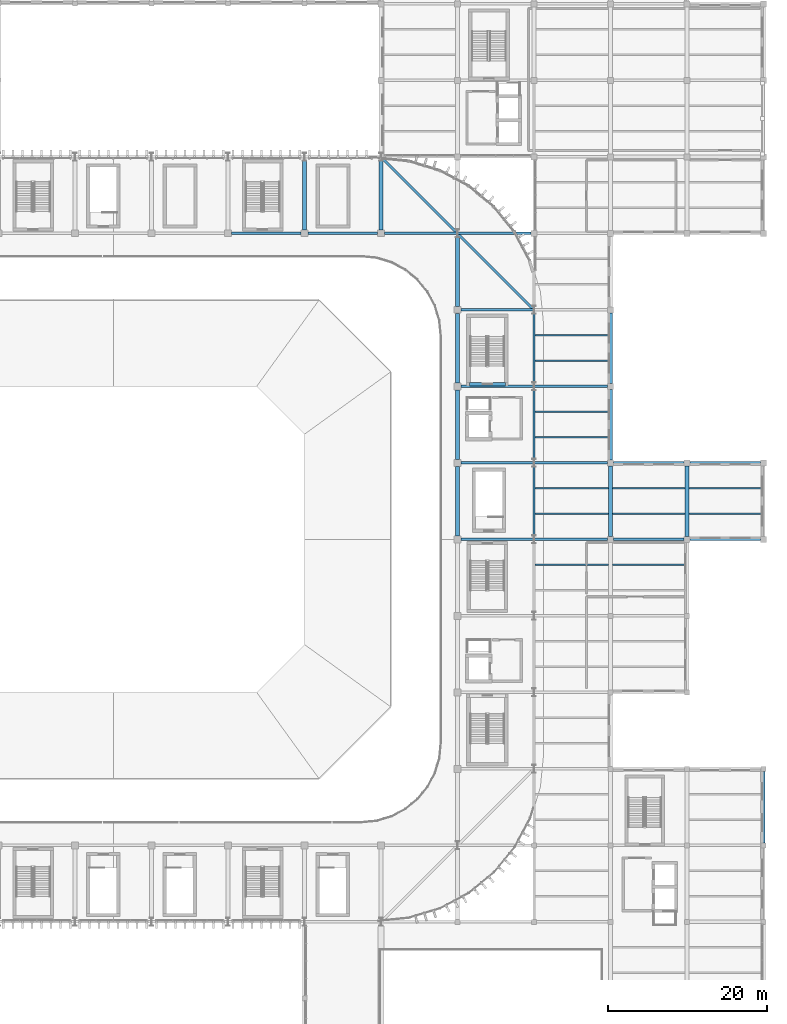
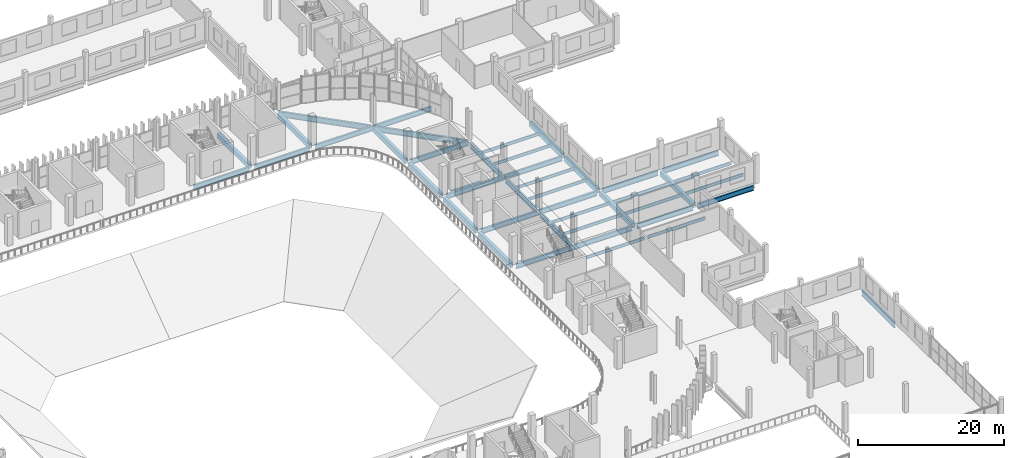
# One storey, part 43 of 99: 44 beams.
"""IFC4 building model written with IfcOpenShell, lengths in metres."""

from ifc_helpers import new_model, si_unit, direction, frame, origin, origin_2d, place, context, subcontext, project, spatial, rectangle, i_section, extrude, material, material_profile, profile_set, type_object, element, save


model = new_model("IFC4")

# Units and contexts
model_context = context("Model", 3, precision=1e-05, world=origin(), true_north=direction((0.0, 1.0)))
body_context = subcontext(model_context, "Body", "Model", "MODEL_VIEW")
ifc_project = project(units=[si_unit("LENGTHUNIT", "METRE"), si_unit("AREAUNIT", "SQUARE_METRE"), si_unit("VOLUMEUNIT", "CUBIC_METRE"), si_unit("PLANEANGLEUNIT", "RADIAN"), si_unit("MASSUNIT", "GRAM", prefix="KILO")], contexts=[model_context])

# Site, building, storey
site_placement = place(None, origin())
site = spatial("IfcSite", under=ifc_project, at=site_placement, CompositionType="ELEMENT")
building_placement = place(site_placement, origin())
building = spatial("IfcBuilding", under=site, at=building_placement, Name="Caelomonte Colonnade Arena", CompositionType="ELEMENT")
storey_placement = place(building_placement, frame((0.0, 0.0, 4.800048828125)))
storey = spatial("IfcBuildingStorey", under=building, at=storey_placement, Name="L01", CompositionType="ELEMENT", Elevation=4.800048828125)

# Beams
ifc_material_1 = material(Name="Wide-flange steel ASTM A992 Grade 50", Category="steel")
ifc_material_profile_1 = material_profile(ifc_material_1, i_section(OverallWidth=0.307861328125, OverallDepth=0.927001953125, WebThickness=0.019287109375, FlangeThickness=0.031982421875, FilletRadius=0.020263671875, at=origin_2d()), Name="W36X194")
ifc_profile_set_1 = profile_set([ifc_material_profile_1], Name="Wide-flange steel ASTM A992 Grade 50")
beam_type_1 = type_object("IfcBeamType", Name="STR-BM-EAVES2", PredefinedType="SPANDREL", material=ifc_profile_set_1)
beam_1_placement = place(storey_placement, frame((163.199951171875, 67.712646484375, -0.763427734375), z_axis=(0.0, 1.0, 0.0), x_axis=(-1.0, 0.0, 0.0)))
element("IfcBeam", 1, at=beam_1_placement, inside=storey, type_object=beam_type_1, Name="L01 girder BMY-L01-1632-0672", PredefinedType="SPANDREL", context=body_context, shape_type="SweptSolid", body=[
    extrude(i_section(OverallWidth=0.307861328125, OverallDepth=0.927001953125, WebThickness=0.019287109375, FlangeThickness=0.031982421875, FilletRadius=0.020263671875, at=origin_2d()), origin(), (0.0, 0.0, 1.0), 8.57470703125),
])
beam_2_placement = place(storey_placement, frame((163.199951171875, 77.312744140625, -0.763427734375), z_axis=(0.0, 1.0, 0.0), x_axis=(-1.0, 0.0, 0.0)))
element("IfcBeam", 2, at=beam_2_placement, inside=storey, type_object=beam_type_1, Name="L01 girder BMY-L01-1632-0768", PredefinedType="SPANDREL", context=body_context, shape_type="SweptSolid", body=[
    extrude(i_section(OverallWidth=0.307861328125, OverallDepth=0.927001953125, WebThickness=0.019287109375, FlangeThickness=0.031982421875, FilletRadius=0.020263671875, at=origin_2d()), origin(), (0.0, 0.0, 1.0), 8.574462890625),
])
beam_3_placement = place(storey_placement, frame((163.199951171875, 86.91259765625, -0.763427734375), z_axis=(0.0, 1.0, 0.0), x_axis=(-1.0, 0.0, 0.0)))
element("IfcBeam", 3, at=beam_3_placement, inside=storey, type_object=beam_type_1, Name="L01 girder BMY-L01-1632-0864", PredefinedType="SPANDREL", context=body_context, shape_type="SweptSolid", body=[
    extrude(i_section(OverallWidth=0.307861328125, OverallDepth=0.927001953125, WebThickness=0.019287109375, FlangeThickness=0.031982421875, FilletRadius=0.020263671875, at=origin_2d()), origin(), (0.0, 0.0, 1.0), 8.57470703125),
])
beam_4_placement = place(storey_placement, frame((192.0, 29.116943359375, -0.763427734375), z_axis=(0.0, 1.0, 0.0), x_axis=(-1.0, 0.0, 0.0)))
element("IfcBeam", 4, at=beam_4_placement, inside=storey, type_object=beam_type_1, Name="L01 girder BMY-L01-1920-0288", PredefinedType="SPANDREL", context=body_context, shape_type="SweptSolid", body=[
    extrude(i_section(OverallWidth=0.307861328125, OverallDepth=0.927001953125, WebThickness=0.019287109375, FlangeThickness=0.031982421875, FilletRadius=0.020263671875, at=origin_2d()), origin(), (0.0, 0.0, 1.0), 8.966064453125),
])
for number, where, z_axis, x_axis, name in (
    (5, (163.0546875, 96.145263671875, -0.763427734375), (-0.707106781187, 0.707106781187, 0.0), (-0.707106781187, -0.707106781187, 0.0), "L01 drum corner ring girder 5"),
    (6, (153.45458984375, 105.745361328125, -0.763427734375), (-0.707106781187, 0.707106781187, 0.0), (-0.707106781187, -0.707106781187, 0.0), "L01 drum corner ring girder 6"),
):
    element("IfcBeam", number, at=place(storey_placement, frame(where, z_axis=z_axis, x_axis=x_axis)), inside=storey, type_object=beam_type_1, Name=name, PredefinedType="SPANDREL", context=body_context, shape_type="SweptSolid", body=[
        extrude(i_section(OverallWidth=0.307861328125, OverallDepth=0.927001953125, WebThickness=0.019287109375, FlangeThickness=0.031982421875, FilletRadius=0.020263671875, at=origin_2d()), origin(), (0.0, 0.0, 1.0), 13.165283203125),
    ])
ifc_material_profile_2 = material_profile(ifc_material_1, i_section(OverallWidth=0.2919921875, OverallDepth=0.835693359375, WebThickness=0.013916015625, FlangeThickness=0.018798828125, FilletRadius=0.017822265625, at=origin_2d()), Name="W33X118")
ifc_profile_set_2 = profile_set([ifc_material_profile_2], Name="Wide-flange steel ASTM A992 Grade 50")
beam_type_2 = type_object("IfcBeamType", Name="STR-BM-GIRD33B", PredefinedType="BEAM", material=ifc_profile_set_2)
beam_5_placement = place(storey_placement, frame((154.0419921875, 67.199951171875, -0.7177734375), z_axis=(1.0, 0.0, 0.0), x_axis=(0.0, 1.0, 0.0)))
element("IfcBeam", 7, at=beam_5_placement, inside=storey, type_object=beam_type_2, Name="L01 girder BMX-L01-1536-0672", PredefinedType="BEAM", context=body_context, shape_type="SweptSolid", body=[
    extrude(i_section(OverallWidth=0.2919921875, OverallDepth=0.835693359375, WebThickness=0.013916015625, FlangeThickness=0.018798828125, FilletRadius=0.017822265625, at=origin_2d()), origin(), (0.0, 0.0, 1.0), 9.142578125),
])
beam_6_placement = place(storey_placement, frame((163.215576171875, 67.199951171875, -0.7177734375), z_axis=(1.0, 0.0, 0.0), x_axis=(0.0, 1.0, 0.0)))
element("IfcBeam", 8, at=beam_6_placement, inside=storey, type_object=beam_type_2, Name="L01 girder BMX-L01-1632-0672", PredefinedType="BEAM", context=body_context, shape_type="SweptSolid", body=[
    extrude(i_section(OverallWidth=0.2919921875, OverallDepth=0.835693359375, WebThickness=0.013916015625, FlangeThickness=0.018798828125, FilletRadius=0.017822265625, at=origin_2d()), origin(), (0.0, 0.0, 1.0), 9.217529296875),
])
for number, where, z_axis, x_axis, name in (
    (9, (173.1669921875, 67.199951171875, -0.7177734375), (1.0, 0.0, 0.0), (0.0, 1.0, 0.0), "L01 girder BMX-L01-1728-0672"),
    (10, (182.76708984375, 67.199951171875, -0.7177734375), (1.0, 0.0, 0.0), (0.0, 1.0, 0.0), "L01 girder BMX-L01-1824-0672"),
):
    element("IfcBeam", number, at=place(storey_placement, frame(where, z_axis=z_axis, x_axis=x_axis)), inside=storey, type_object=beam_type_2, Name=name, PredefinedType="BEAM", context=body_context, shape_type="SweptSolid", body=[
        extrude(i_section(OverallWidth=0.2919921875, OverallDepth=0.835693359375, WebThickness=0.013916015625, FlangeThickness=0.018798828125, FilletRadius=0.017822265625, at=origin_2d()), origin(), (0.0, 0.0, 1.0), 8.865966796875),
    ])
beam_7_placement = place(storey_placement, frame((154.0419921875, 76.800048828125, -0.7177734375), z_axis=(1.0, 0.0, 0.0), x_axis=(0.0, 1.0, 0.0)))
element("IfcBeam", 11, at=beam_7_placement, inside=storey, type_object=beam_type_2, Name="L01 girder BMX-L01-1536-0768", PredefinedType="BEAM", context=body_context, shape_type="SweptSolid", body=[
    extrude(i_section(OverallWidth=0.2919921875, OverallDepth=0.835693359375, WebThickness=0.013916015625, FlangeThickness=0.018798828125, FilletRadius=0.017822265625, at=origin_2d()), origin(), (0.0, 0.0, 1.0), 9.142578125),
])
beam_8_placement = place(storey_placement, frame((163.215576171875, 76.800048828125, -0.7177734375), z_axis=(1.0, 0.0, 0.0), x_axis=(0.0, 1.0, 0.0)))
element("IfcBeam", 12, at=beam_8_placement, inside=storey, type_object=beam_type_2, Name="L01 girder BMX-L01-1632-0768", PredefinedType="BEAM", context=body_context, shape_type="SweptSolid", body=[
    extrude(i_section(OverallWidth=0.2919921875, OverallDepth=0.835693359375, WebThickness=0.013916015625, FlangeThickness=0.018798828125, FilletRadius=0.017822265625, at=origin_2d()), origin(), (0.0, 0.0, 1.0), 9.217529296875),
])
for number, where, z_axis, x_axis, name in (
    (13, (173.1669921875, 76.800048828125, -0.7177734375), (1.0, 0.0, 0.0), (0.0, 1.0, 0.0), "L01 girder BMX-L01-1728-0768"),
    (14, (182.76708984375, 76.800048828125, -0.7177734375), (1.0, 0.0, 0.0), (0.0, 1.0, 0.0), "L01 girder BMX-L01-1824-0768"),
):
    element("IfcBeam", number, at=place(storey_placement, frame(where, z_axis=z_axis, x_axis=x_axis)), inside=storey, type_object=beam_type_2, Name=name, PredefinedType="BEAM", context=body_context, shape_type="SweptSolid", body=[
        extrude(i_section(OverallWidth=0.2919921875, OverallDepth=0.835693359375, WebThickness=0.013916015625, FlangeThickness=0.018798828125, FilletRadius=0.017822265625, at=origin_2d()), origin(), (0.0, 0.0, 1.0), 8.865966796875),
    ])
beam_9_placement = place(storey_placement, frame((154.0419921875, 86.39990234375, -0.7177734375), z_axis=(1.0, 0.0, 0.0), x_axis=(0.0, 1.0, 0.0)))
element("IfcBeam", 15, at=beam_9_placement, inside=storey, type_object=beam_type_2, Name="L01 girder BMX-L01-1536-0864", PredefinedType="BEAM", context=body_context, shape_type="SweptSolid", body=[
    extrude(i_section(OverallWidth=0.2919921875, OverallDepth=0.835693359375, WebThickness=0.013916015625, FlangeThickness=0.018798828125, FilletRadius=0.017822265625, at=origin_2d()), origin(), (0.0, 0.0, 1.0), 9.142578125),
])
beam_10_placement = place(storey_placement, frame((163.215576171875, 86.39990234375, -0.7177734375), z_axis=(1.0, 0.0, 0.0), x_axis=(0.0, 1.0, 0.0)))
element("IfcBeam", 16, at=beam_10_placement, inside=storey, type_object=beam_type_2, Name="L01 girder BMX-L01-1632-0864", PredefinedType="BEAM", context=body_context, shape_type="SweptSolid", body=[
    extrude(i_section(OverallWidth=0.2919921875, OverallDepth=0.835693359375, WebThickness=0.013916015625, FlangeThickness=0.018798828125, FilletRadius=0.017822265625, at=origin_2d()), origin(), (0.0, 0.0, 1.0), 9.217529296875),
])
beam_11_placement = place(storey_placement, frame((154.0419921875, 96.0, -0.7177734375), z_axis=(1.0, 0.0, 0.0), x_axis=(0.0, 1.0, 0.0)))
element("IfcBeam", 17, at=beam_11_placement, inside=storey, type_object=beam_type_2, Name="L01 girder BMX-L01-1536-0960", PredefinedType="BEAM", context=body_context, shape_type="SweptSolid", body=[
    extrude(i_section(OverallWidth=0.2919921875, OverallDepth=0.835693359375, WebThickness=0.013916015625, FlangeThickness=0.018798828125, FilletRadius=0.017822265625, at=origin_2d()), origin(), (0.0, 0.0, 1.0), 9.142578125),
])
for number, where, z_axis, x_axis, name in (
    (18, (125.241943359375, 105.60009765625, -0.7177734375), (1.0, 0.0, 0.0), (0.0, 1.0, 0.0), "L01 girder BMX-L01-1248-1056"),
    (19, (134.842041015625, 105.60009765625, -0.7177734375), (1.0, 0.0, 0.0), (0.0, 1.0, 0.0), "L01 girder BMX-L01-1344-1056"),
):
    element("IfcBeam", number, at=place(storey_placement, frame(where, z_axis=z_axis, x_axis=x_axis)), inside=storey, type_object=beam_type_2, Name=name, PredefinedType="BEAM", context=body_context, shape_type="SweptSolid", body=[
        extrude(i_section(OverallWidth=0.2919921875, OverallDepth=0.835693359375, WebThickness=0.013916015625, FlangeThickness=0.018798828125, FilletRadius=0.017822265625, at=origin_2d()), origin(), (0.0, 0.0, 1.0), 8.716064453125),
    ])
beam_12_placement = place(storey_placement, frame((144.44189453125, 105.60009765625, -0.7177734375), z_axis=(1.0, 0.0, 0.0), x_axis=(0.0, 1.0, 0.0)))
element("IfcBeam", 20, at=beam_12_placement, inside=storey, type_object=beam_type_2, Name="L01 girder BMX-L01-1440-1056", PredefinedType="BEAM", context=body_context, shape_type="SweptSolid", body=[
    extrude(i_section(OverallWidth=0.2919921875, OverallDepth=0.835693359375, WebThickness=0.013916015625, FlangeThickness=0.018798828125, FilletRadius=0.017822265625, at=origin_2d()), origin(), (0.0, 0.0, 1.0), 9.142578125),
])
beam_13_placement = place(storey_placement, frame((153.615478515625, 105.60009765625, -0.7177734375), z_axis=(1.0, 0.0, 0.0), x_axis=(0.0, 1.0, 0.0)))
element("IfcBeam", 21, at=beam_13_placement, inside=storey, type_object=beam_type_2, Name="L01 girder BMX-L01-1536-1056", PredefinedType="BEAM", context=body_context, shape_type="SweptSolid", body=[
    extrude(i_section(OverallWidth=0.2919921875, OverallDepth=0.835693359375, WebThickness=0.013916015625, FlangeThickness=0.018798828125, FilletRadius=0.017822265625, at=origin_2d()), origin(), (0.0, 0.0, 1.0), 9.217529296875),
])
ifc_material_profile_3 = material_profile(ifc_material_1, i_section(OverallWidth=0.166015625, OverallDepth=0.5283203125, WebThickness=0.009765625, FlangeThickness=0.013671875, FilletRadius=0.0126953125, at=origin_2d()), Name="W21X50")
ifc_profile_set_3 = profile_set([ifc_material_profile_3], Name="Wide-flange steel ASTM A992 Grade 50")
beam_type_3 = type_object("IfcBeamType", Name="STR-BM-JOIST21B", PredefinedType="JOIST", material=ifc_profile_set_3)
for number, where, z_axis, x_axis, name in (
    (22, (163.348876953125, 64.0, -0.564208984375), (1.0, 0.0, 0.0), (0.0, 1.0, 0.0), "L01 secondary joist 2"),
    (23, (163.348876953125, 70.39990234375, -0.564208984375), (1.0, 0.0, 0.0), (0.0, 1.0, 0.0), "L01 secondary joist 1"),
    (24, (163.348876953125, 73.60009765625, -0.564208984375), (1.0, 0.0, 0.0), (0.0, 1.0, 0.0), "L01 secondary joist 2"),
    (25, (163.348876953125, 80.0, -0.564208984375), (1.0, 0.0, 0.0), (0.0, 1.0, 0.0), "L01 secondary joist 1"),
    (26, (163.348876953125, 83.199951171875, -0.564208984375), (1.0, 0.0, 0.0), (0.0, 1.0, 0.0), "L01 secondary joist 2"),
    (27, (163.348876953125, 89.60009765625, -0.564208984375), (1.0, 0.0, 0.0), (0.0, 1.0, 0.0), "L01 secondary joist 1"),
    (28, (163.348876953125, 92.800048828125, -0.564208984375), (1.0, 0.0, 0.0), (0.0, 1.0, 0.0), "L01 secondary joist 2"),
):
    element("IfcBeam", number, at=place(storey_placement, frame(where, z_axis=z_axis, x_axis=x_axis)), inside=storey, type_object=beam_type_3, Name=name, PredefinedType="JOIST", context=body_context, shape_type="SweptSolid", body=[
        extrude(i_section(OverallWidth=0.166015625, OverallDepth=0.5283203125, WebThickness=0.009765625, FlangeThickness=0.013671875, FilletRadius=0.0126953125, at=origin_2d()), origin(), (0.0, 0.0, 1.0), 9.2060546875),
    ])
for number, where, z_axis, x_axis, name in (
    (29, (173.044921875, 64.0, -0.564208984375), (1.0, 0.0, 0.0), (0.0, 1.0, 0.0), "L01 secondary joist 2"),
    (30, (173.044921875, 70.39990234375, -0.564208984375), (1.0, 0.0, 0.0), (0.0, 1.0, 0.0), "L01 secondary joist 1"),
    (31, (173.044921875, 73.60009765625, -0.564208984375), (1.0, 0.0, 0.0), (0.0, 1.0, 0.0), "L01 secondary joist 2"),
):
    element("IfcBeam", number, at=place(storey_placement, frame(where, z_axis=z_axis, x_axis=x_axis)), inside=storey, type_object=beam_type_3, Name=name, PredefinedType="JOIST", context=body_context, shape_type="SweptSolid", body=[
        extrude(i_section(OverallWidth=0.166015625, OverallDepth=0.5283203125, WebThickness=0.009765625, FlangeThickness=0.013671875, FilletRadius=0.0126953125, at=origin_2d()), origin(), (0.0, 0.0, 1.0), 9.110107421875),
    ])
for number, where, z_axis, x_axis, name in (
    (32, (182.64501953125, 70.39990234375, -0.564208984375), (1.0, 0.0, 0.0), (0.0, 1.0, 0.0), "L01 secondary joist 1"),
    (33, (182.64501953125, 73.60009765625, -0.564208984375), (1.0, 0.0, 0.0), (0.0, 1.0, 0.0), "L01 secondary joist 2"),
):
    element("IfcBeam", number, at=place(storey_placement, frame(where, z_axis=z_axis, x_axis=x_axis)), inside=storey, type_object=beam_type_3, Name=name, PredefinedType="JOIST", context=body_context, shape_type="SweptSolid", body=[
        extrude(i_section(OverallWidth=0.166015625, OverallDepth=0.5283203125, WebThickness=0.009765625, FlangeThickness=0.013671875, FilletRadius=0.0126953125, at=origin_2d()), origin(), (0.0, 0.0, 1.0), 9.2060546875),
    ])
ifc_material_2 = material(Name="Concrete C40/50", Category="concrete")
ifc_material_profile_4 = material_profile(ifc_material_2, rectangle(XDim=0.39990234375, YDim=0.64990234375, at=origin_2d()), Name="RC400X650")
ifc_profile_set_4 = profile_set([ifc_material_profile_4], Name="Concrete C40/50")
beam_type_4 = type_object("IfcBeamType", Name="STR-BM-LINT40", PredefinedType="LINTEL", material=ifc_profile_set_4)
beam_14_placement = place(storey_placement, frame((155.074951171875, 86.675048828125, -0.625), z_axis=(1.0, 0.0, 0.0), x_axis=(0.0, 1.0, 0.0)))
element("IfcBeam", 34, at=beam_14_placement, inside=storey, type_object=beam_type_4, Name="Core C3 L01 coupling lintel beam", PredefinedType="LINTEL", context=body_context, shape_type="SweptSolid", body=[
    extrude(rectangle(XDim=0.39990234375, YDim=0.64990234375, at=origin_2d()), origin(), (0.0, 0.0, 1.0), 4.550048828125),
])
ifc_material_profile_5 = material_profile(ifc_material_2, rectangle(XDim=0.5, YDim=0.800048828125, at=origin_2d()), Name="RC500X800")
ifc_profile_set_5 = profile_set([ifc_material_profile_5], Name="Concrete C40/50")
beam_type_5 = type_object("IfcBeamType", Name="STR-BM-RC50", PredefinedType="BEAM", material=ifc_profile_set_5)
for number, where, z_axis, x_axis, name in (
    (35, (134.39990234375, 106.0419921875, -0.699951171875), (0.0, 1.0, 0.0), (-1.0, 0.0, 0.0), "L01 girder BMY-L01-1344-1056"),
    (36, (144.0, 106.0419921875, -0.699951171875), (0.0, 1.0, 0.0), (-1.0, 0.0, 0.0), "L01 girder BMY-L01-1440-1056"),
):
    element("IfcBeam", number, at=place(storey_placement, frame(where, z_axis=z_axis, x_axis=x_axis)), inside=storey, type_object=beam_type_5, Name=name, PredefinedType="BEAM", context=body_context, shape_type="SweptSolid", body=[
        extrude(rectangle(XDim=0.5, YDim=0.800048828125, at=origin_2d()), origin(), (0.0, 0.0, 1.0), 8.645263671875),
    ])
beam_15_placement = place(storey_placement, frame((153.60009765625, 67.64208984375, -0.699951171875), z_axis=(0.0, 1.0, 0.0), x_axis=(-1.0, 0.0, 0.0)))
element("IfcBeam", 37, at=beam_15_placement, inside=storey, type_object=beam_type_5, Name="L01 girder BMY-L01-1536-0672", PredefinedType="BEAM", context=body_context, shape_type="SweptSolid", body=[
    extrude(rectangle(XDim=0.5, YDim=0.800048828125, at=origin_2d()), origin(), (0.0, 0.0, 1.0), 8.7158203125),
])
for number, where, z_axis, x_axis, name in (
    (38, (153.60009765625, 77.241943359375, -0.699951171875), (0.0, 1.0, 0.0), (-1.0, 0.0, 0.0), "L01 girder BMY-L01-1536-0768"),
    (39, (153.60009765625, 86.842041015625, -0.699951171875), (0.0, 1.0, 0.0), (-1.0, 0.0, 0.0), "L01 girder BMY-L01-1536-0864"),
):
    element("IfcBeam", number, at=place(storey_placement, frame(where, z_axis=z_axis, x_axis=x_axis)), inside=storey, type_object=beam_type_5, Name=name, PredefinedType="BEAM", context=body_context, shape_type="SweptSolid", body=[
        extrude(rectangle(XDim=0.5, YDim=0.800048828125, at=origin_2d()), origin(), (0.0, 0.0, 1.0), 8.716064453125),
    ])
beam_16_placement = place(storey_placement, frame((153.60009765625, 96.44189453125, -0.699951171875), z_axis=(0.0, 1.0, 0.0), x_axis=(-1.0, 0.0, 0.0)))
element("IfcBeam", 40, at=beam_16_placement, inside=storey, type_object=beam_type_5, Name="L01 girder BMY-L01-1536-0960", PredefinedType="BEAM", context=body_context, shape_type="SweptSolid", body=[
    extrude(rectangle(XDim=0.5, YDim=0.800048828125, at=origin_2d()), origin(), (0.0, 0.0, 1.0), 8.6455078125),
])
beam_17_placement = place(storey_placement, frame((172.800048828125, 67.56689453125, -0.699951171875), z_axis=(0.0, 1.0, 0.0), x_axis=(-1.0, 0.0, 0.0)))
element("IfcBeam", 41, at=beam_17_placement, inside=storey, type_object=beam_type_5, Name="L01 girder BMY-L01-1728-0672", PredefinedType="BEAM", context=body_context, shape_type="SweptSolid", body=[
    extrude(rectangle(XDim=0.5, YDim=0.800048828125, at=origin_2d()), origin(), (0.0, 0.0, 1.0), 8.8662109375),
])
for number, where, z_axis, x_axis, name in (
    (42, (172.800048828125, 77.1669921875, -0.699951171875), (0.0, 1.0, 0.0), (-1.0, 0.0, 0.0), "L01 girder BMY-L01-1728-0768"),
    (43, (172.800048828125, 86.76708984375, -0.699951171875), (0.0, 1.0, 0.0), (-1.0, 0.0, 0.0), "L01 girder BMY-L01-1728-0864"),
):
    element("IfcBeam", number, at=place(storey_placement, frame(where, z_axis=z_axis, x_axis=x_axis)), inside=storey, type_object=beam_type_5, Name=name, PredefinedType="BEAM", context=body_context, shape_type="SweptSolid", body=[
        extrude(rectangle(XDim=0.5, YDim=0.800048828125, at=origin_2d()), origin(), (0.0, 0.0, 1.0), 8.865966796875),
    ])
beam_18_placement = place(storey_placement, frame((182.39990234375, 67.56689453125, -0.699951171875), z_axis=(0.0, 1.0, 0.0), x_axis=(-1.0, 0.0, 0.0)))
element("IfcBeam", 44, at=beam_18_placement, inside=storey, type_object=beam_type_5, Name="L01 girder BMY-L01-1824-0672", PredefinedType="BEAM", context=body_context, shape_type="SweptSolid", body=[
    extrude(rectangle(XDim=0.5, YDim=0.800048828125, at=origin_2d()), origin(), (0.0, 0.0, 1.0), 8.8662109375),
])

save(model, "model.ifc")
